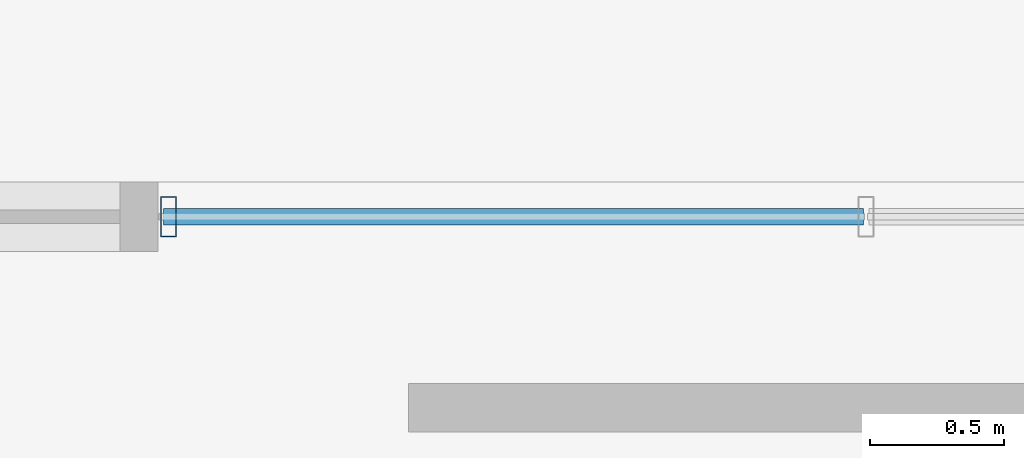
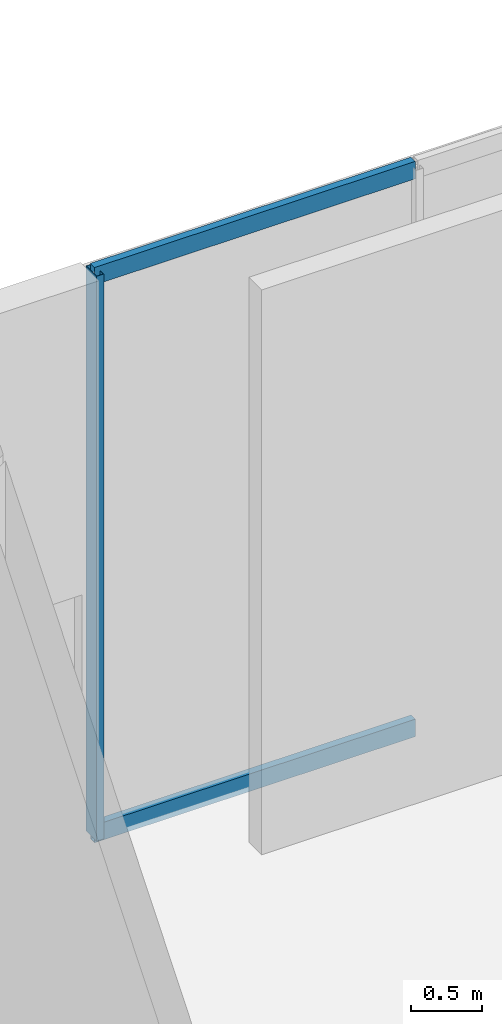
# One storey, part 2 of 11: 3 members, 1 element without a shape of its own.
"""IFC4 building model written with IfcOpenShell, lengths in metres."""

import ifcopenshell
import ifcopenshell.guid

model = None  # the IFC model being written
_history = None  # IfcOwnerHistory: only IFC2X3 demands one
_inside = {}  # id of a spatial element -> (the spatial element, [elements in it])
_under = {}  # id of a project, library or spatial element -> (it, [spatial elements below it])
_declared = {}  # id of a project -> (the project, [libraries it declares])
_typed = {}  # id of a type object -> (the type object, [elements of that type])
_made_of = {}  # id of a material, layer set ... -> (it, [elements and type objects made of it])


def new_model(schema):
    """Start an empty IFC model of exactly this schema.

    Asked for "IFC4X3", IfcOpenShell would pick the latest addendum, in which some entities
    have other attributes; the version numbers below select the first issue.
    IFC2X3 requires an IfcOwnerHistory on every rooted entity: one is made here for all.
    """
    global model, _history
    if schema == "IFC4X3":
        model = ifcopenshell.file(schema_version=(4, 3, 0, 0))
    else:
        model = ifcopenshell.file(schema=schema)
    _inside.clear()
    _under.clear()
    _declared.clear()
    _typed.clear()
    _made_of.clear()
    _history = None
    if model.schema == "IFC2X3":
        org = make("IfcOrganization", Name="unknown")
        user = make(
            "IfcPersonAndOrganization",
            ThePerson=make("IfcPerson", FamilyName="unknown"),
            TheOrganization=org,
        )
        app = make(
            "IfcApplication",
            ApplicationDeveloper=org,
            Version="unknown",
            ApplicationFullName="unknown",
            ApplicationIdentifier="unknown",
        )
        _history = make(
            "IfcOwnerHistory",
            OwningUser=user,
            OwningApplication=app,
            ChangeAction="ADDED",
            CreationDate=0,
        )
    return model


def make(cls, **values):
    """One entity of the class cls with the attributes given. An attribute that is None is left unset."""
    return model.create_entity(
        cls, **{name: value for name, value in values.items() if value is not None}
    )


def rooted(cls, **values):
    """An entity with a GlobalId (a new one), such as an element, a storey or a relation."""
    return make(cls, GlobalId=ifcopenshell.guid.new(), OwnerHistory=_history, **values)


def si_unit(unit_type, name, prefix=None):
    """IfcSIUnit, for example si_unit("LENGTHUNIT", "METRE", prefix="MILLI")."""
    return make("IfcSIUnit", UnitType=unit_type, Prefix=prefix, Name=name)


def assignment(units):
    """IfcUnitAssignment: the units of a project."""
    return None if units is None else make("IfcUnitAssignment", Units=units)


def point(xyz):
    """IfcCartesianPoint."""
    return None if xyz is None else make("IfcCartesianPoint", Coordinates=xyz)


def direction(xyz):
    """IfcDirection."""
    return None if xyz is None else make("IfcDirection", DirectionRatios=xyz)


def frame(location, z_axis=None, x_axis=None):
    """IfcAxis2Placement3D, a coordinate frame: its origin and axes. An axis left out is left unset."""
    return make(
        "IfcAxis2Placement3D",
        Location=point(location),
        Axis=direction(z_axis),
        RefDirection=direction(x_axis),
    )


def frame_2d(location, x_axis=None):
    """IfcAxis2Placement2D, a coordinate frame in the plane: its origin and x axis."""
    return make(
        "IfcAxis2Placement2D", Location=point(location), RefDirection=direction(x_axis)
    )


def origin():
    """The frame at (0, 0, 0) with its axes left unset."""
    return frame((0.0, 0.0, 0.0))


def origin_2d():
    """The frame at (0, 0) in the plane with its x axis left unset."""
    return frame_2d((0.0, 0.0))


def place(relative_to, where):
    """IfcLocalPlacement: puts the frame where relative to a parent placement (None: the world)."""
    return make(
        "IfcLocalPlacement", PlacementRelTo=relative_to, RelativePlacement=where
    )


def context(
    kind, dimensions, precision=None, world=None, true_north=None, identifier=None
):
    """IfcGeometricRepresentationContext, for example the 3D "Model" context."""
    return make(
        "IfcGeometricRepresentationContext",
        ContextIdentifier=identifier,
        ContextType=kind,
        CoordinateSpaceDimension=dimensions,
        Precision=precision,
        WorldCoordinateSystem=world,
        TrueNorth=true_north,
    )


def subcontext(parent, identifier, kind, view, scale=None):
    """IfcGeometricRepresentationSubContext, for example "Body" below "Model"."""
    return make(
        "IfcGeometricRepresentationSubContext",
        ContextIdentifier=identifier,
        ContextType=kind,
        ParentContext=parent,
        TargetScale=scale,
        TargetView=view,
    )


def project(units=None, contexts=None):
    """IfcProject with its units and contexts."""
    return rooted(
        "IfcProject",
        Name="project",
        RepresentationContexts=contexts,
        UnitsInContext=assignment(units),
    )


def spatial(cls, under=None, at=None, **own):
    """A site, building, storey or space (cls), placed at a placement, below another one or the project."""
    s = rooted(cls, ObjectPlacement=at, **own)
    if under is not None:
        _under.setdefault(under.id(), (under, []))[1].append(s)
    return s


def profile(cls, at=None, kind="AREA", **sizes):
    """A parametric profile (cls). Its sizes go by their IFC names, for example OverallWidth=200.0."""
    return make(cls, ProfileType=kind, Position=at, **sizes)


def hollow_rectangle(**sizes):
    """IfcRectangleHollowProfileDef."""
    return profile("IfcRectangleHollowProfileDef", **sizes)


def extrude(swept, where, along, depth):
    """IfcExtrudedAreaSolid: the profile swept, set in the frame where, extruded along a direction by depth."""
    return make(
        "IfcExtrudedAreaSolid",
        SweptArea=swept,
        Position=where,
        ExtrudedDirection=direction(along),
        Depth=depth,
    )


def shape(context_of_items, identifier, shape_type, items):
    """IfcShapeRepresentation: the items that make up one representation, for example the "Body"."""
    return make(
        "IfcShapeRepresentation",
        ContextOfItems=context_of_items,
        RepresentationIdentifier=identifier,
        RepresentationType=shape_type,
        Items=items,
    )


def material(Name=None, Category=None):
    """IfcMaterial."""
    return make("IfcMaterial", Name=Name, Category=Category)


def material_profile(
    of_material, cross_section, Name=None, Category=None, Priority=None
):
    """IfcMaterialProfile: a cross section and its material."""
    return make(
        "IfcMaterialProfile",
        Name=Name,
        Material=of_material,
        Profile=cross_section,
        Priority=Priority,
        Category=Category,
    )


def profile_set(profiles, Name=None, composite=None):
    """IfcMaterialProfileSet."""
    return make(
        "IfcMaterialProfileSet",
        Name=Name,
        MaterialProfiles=profiles,
        CompositeProfile=composite,
    )


def made_of(thing, what):
    """Note that an element or type object is made of a material, layer set ...; save() writes the relation."""
    if what is not None:
        _made_of.setdefault(what.id(), (what, []))[1].append(thing)
    return thing


def type_object(cls, material=None, **own):
    """A type object (cls), such as IfcWallType, which elements share."""
    return made_of(rooted(cls, **own), material)


def element(
    cls,
    number,
    at=None,
    inside=None,
    cuts=None,
    type_object=None,
    material=None,
    context=None,
    identifier="Body",
    shape_type=None,
    held_by="IfcProductDefinitionShape",
    body=None,
    shapes=None,
    **own,
):
    """One element of the class cls, such as IfcWall. Its Tag is "e" and its number.

    at: its placement. inside: the storey or other place that contains it. cuts: it is an
    opening in that element (IfcRelVoidsElement). A single representation is given by context,
    identifier, shape_type and body (its items); several are given by shapes. held_by: the class
    of the entity that holds the representations. save() writes the other relations.
    """
    e = rooted(cls, Tag="e%d" % number, ObjectPlacement=at, **own)
    if body is not None:
        shapes = [shape(context, identifier, shape_type, body)]
    if shapes is not None:
        e.Representation = make(held_by, Representations=shapes)
    if inside is not None:
        _inside.setdefault(inside.id(), (inside, []))[1].append(e)
    if cuts is not None:
        rooted(
            "IfcRelVoidsElement", RelatingBuildingElement=cuts, RelatedOpeningElement=e
        )
    if type_object is not None:
        _typed.setdefault(type_object.id(), (type_object, []))[1].append(e)
    return made_of(e, material)


def aggregate(whole, parts):
    """IfcRelAggregates: a whole, such as a stair, and the parts it consists of."""
    return rooted("IfcRelAggregates", RelatingObject=whole, RelatedObjects=parts)


def save(model, path):
    """Write the relations noted so far, then the file.

    IfcRelAggregates (storeys below a building ...), IfcRelContainedInSpatialStructure (elements
    in a storey), IfcRelDefinesByType, IfcRelAssociatesMaterial and IfcRelDeclares: one each for
    every whole, place, type object, material and project.
    """
    for whole, parts in _under.values():
        aggregate(whole, parts)
    for where, things in _inside.values():
        rooted(
            "IfcRelContainedInSpatialStructure",
            RelatedElements=things,
            RelatingStructure=where,
        )
    for kind, things in _typed.values():
        rooted("IfcRelDefinesByType", RelatedObjects=things, RelatingType=kind)
    for what, things in _made_of.values():
        rooted("IfcRelAssociatesMaterial", RelatedObjects=things, RelatingMaterial=what)
    for by, libraries in _declared.values():
        rooted("IfcRelDeclares", RelatingContext=by, RelatedDefinitions=libraries)
    model.write(path)


model = new_model("IFC4")

# Units and contexts
model_context = context("Model", 3, precision=1e-05, world=origin(), true_north=direction((0.0, 1.0)))
body_context = subcontext(model_context, "Body", "Model", "MODEL_VIEW")
ifc_project = project(units=[si_unit("LENGTHUNIT", "METRE"), si_unit("AREAUNIT", "SQUARE_METRE"), si_unit("VOLUMEUNIT", "CUBIC_METRE"), si_unit("PLANEANGLEUNIT", "RADIAN"), si_unit("MASSUNIT", "GRAM", prefix="KILO")], contexts=[model_context])

# Site, building, storey
site_placement = place(None, origin())
site = spatial("IfcSite", under=ifc_project, at=site_placement, CompositionType="ELEMENT")
building_placement = place(site_placement, origin())
building = spatial("IfcBuilding", under=site, at=building_placement, Name="Ventersveld Concourse Tower", CompositionType="ELEMENT")
storey_placement = place(building_placement, frame((0.0, 0.0, 308.0)))
storey = spatial("IfcBuildingStorey", under=building, at=storey_placement, Name="L76", CompositionType="ELEMENT", Elevation=308.0)

# Curtain wall, members
ifc_material = material(Name="Anodised aluminium EN AW-6063-T6", Category="aluminium")
curtain_wall_type = type_object("IfcCurtainWallType", Name="CW-SG-4", PredefinedType="NOTDEFINED", material=ifc_material)
curtain_wall_placement = place(storey_placement, origin())
curtain_wall = element("IfcCurtainWall", 1, at=curtain_wall_placement, inside=storey, type_object=curtain_wall_type, Name="L76 L76 Sky Garden Recessed Curtain Wall", PredefinedType="NOTDEFINED")
ifc_material_profile_1 = material_profile(ifc_material, hollow_rectangle(XDim=0.06005859375, YDim=0.14990234375, WallThickness=0.00390625, at=origin_2d()), Name="ALU 150x60x4")
ifc_profile_set_1 = profile_set([ifc_material_profile_1], Name="Anodised aluminium EN AW-6063-T6")
member_type_1 = type_object("IfcMemberType", Name="CWM-150x65", PredefinedType="MULLION", material=ifc_profile_set_1)
member_1_placement = place(storey_placement, frame((23.2900390625, 28.56298828125, 0.0), z_axis=(0.0, 0.0, 1.0), x_axis=(1.0, 0.0, 0.0)))
member_1 = element("IfcMember", 2, at=member_1_placement, type_object=member_type_1, Name="CW-L76-SG-S1 Mullion 01", PredefinedType="MULLION", context=body_context, shape_type="SweptSolid", body=[
    extrude(hollow_rectangle(XDim=0.06005859375, YDim=0.14990234375, WallThickness=0.00390625, at=origin_2d()), origin(), (0.0, 0.0, 1.0), 4.85009765625),
])
ifc_material_profile_2 = material_profile(ifc_material, hollow_rectangle(XDim=0.06005859375, YDim=0.14990234375, WallThickness=0.00390625, at=origin_2d()), Name="ALU 150x60x4")
ifc_profile_set_2 = profile_set([ifc_material_profile_2], Name="Anodised aluminium EN AW-6063-T6")
member_type_2 = type_object("IfcMemberType", Name="CWT-150x60", PredefinedType="USERDEFINED", material=ifc_profile_set_2)
member_2_placement = place(storey_placement, frame((23.27001953125, 28.56298828125, 0.030029296875), z_axis=(1.0, 0.0, 0.0), x_axis=(0.0, 1.0, 0.0)))
member_2 = element("IfcMember", 3, at=member_2_placement, type_object=member_type_2, Name="CW-L76-SG-S1 Transom 1-01", ObjectType="TRANSOM", PredefinedType="USERDEFINED", context=body_context, shape_type="SweptSolid", body=[
    extrude(hollow_rectangle(XDim=0.06005859375, YDim=0.14990234375, WallThickness=0.00390625, at=origin_2d()), origin(), (0.0, 0.0, 1.0), 2.60498046875),
])
member_3_placement = place(storey_placement, frame((23.27001953125, 28.56298828125, 4.820068359375), z_axis=(1.0, 0.0, 0.0), x_axis=(0.0, 1.0, 0.0)))
member_3 = element("IfcMember", 4, at=member_3_placement, type_object=member_type_2, Name="CW-L76-SG-S1 Transom 2-01", ObjectType="TRANSOM", PredefinedType="USERDEFINED", context=body_context, shape_type="SweptSolid", body=[
    extrude(hollow_rectangle(XDim=0.06005859375, YDim=0.14990234375, WallThickness=0.00390625, at=origin_2d()), origin(), (0.0, 0.0, 1.0), 2.60498046875),
])
aggregate(curtain_wall, [member_1, member_2, member_3])

save(model, "model.ifc")
